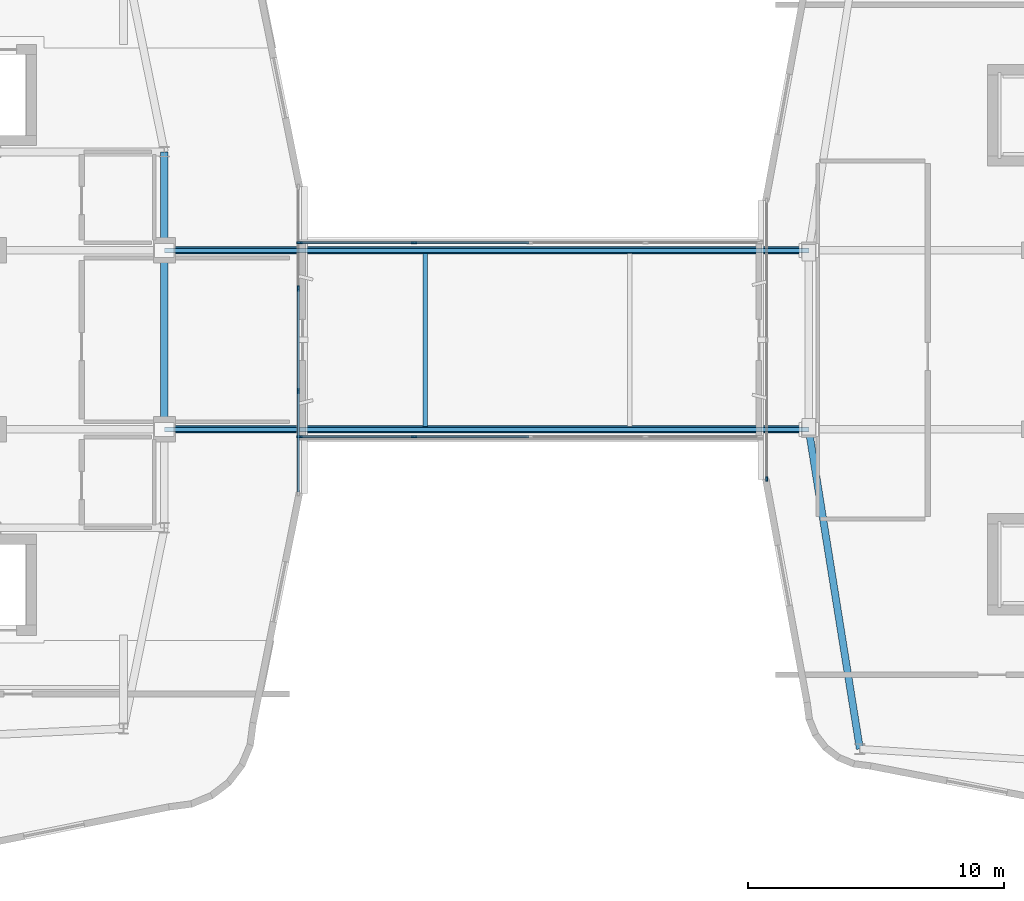
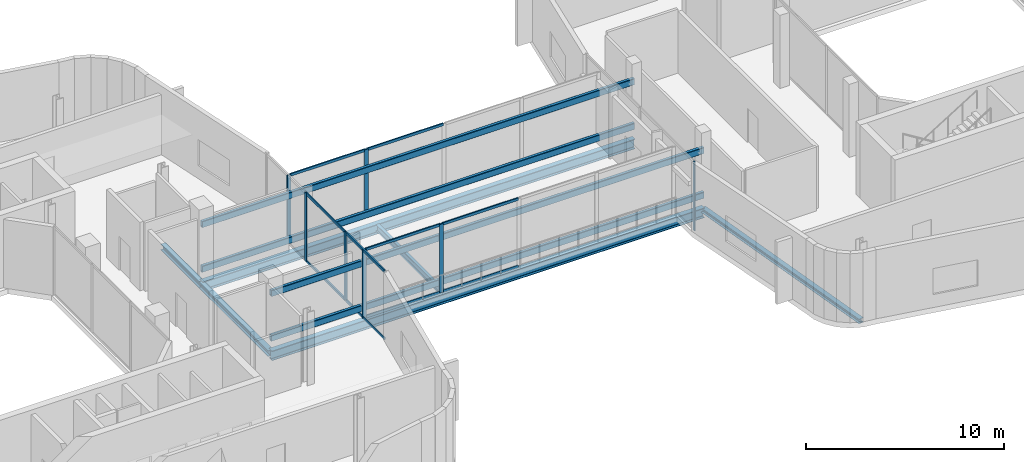
# One storey, part 6 of 24: 23 members, 6 beams, 4 elements without a shape of their own.
"""IFC4 building model written with IfcOpenShell, lengths in metres."""

import ifcopenshell
import ifcopenshell.guid

model = None  # the IFC model being written
_history = None  # IfcOwnerHistory: only IFC2X3 demands one
_inside = {}  # id of a spatial element -> (the spatial element, [elements in it])
_under = {}  # id of a project, library or spatial element -> (it, [spatial elements below it])
_declared = {}  # id of a project -> (the project, [libraries it declares])
_typed = {}  # id of a type object -> (the type object, [elements of that type])
_made_of = {}  # id of a material, layer set ... -> (it, [elements and type objects made of it])


def new_model(schema):
    """Start an empty IFC model of exactly this schema.

    Asked for "IFC4X3", IfcOpenShell would pick the latest addendum, in which some entities
    have other attributes; the version numbers below select the first issue.
    IFC2X3 requires an IfcOwnerHistory on every rooted entity: one is made here for all.
    """
    global model, _history
    if schema == "IFC4X3":
        model = ifcopenshell.file(schema_version=(4, 3, 0, 0))
    else:
        model = ifcopenshell.file(schema=schema)
    _inside.clear()
    _under.clear()
    _declared.clear()
    _typed.clear()
    _made_of.clear()
    _history = None
    if model.schema == "IFC2X3":
        org = make("IfcOrganization", Name="unknown")
        user = make(
            "IfcPersonAndOrganization",
            ThePerson=make("IfcPerson", FamilyName="unknown"),
            TheOrganization=org,
        )
        app = make(
            "IfcApplication",
            ApplicationDeveloper=org,
            Version="unknown",
            ApplicationFullName="unknown",
            ApplicationIdentifier="unknown",
        )
        _history = make(
            "IfcOwnerHistory",
            OwningUser=user,
            OwningApplication=app,
            ChangeAction="ADDED",
            CreationDate=0,
        )
    return model


def make(cls, **values):
    """One entity of the class cls with the attributes given. An attribute that is None is left unset."""
    return model.create_entity(
        cls, **{name: value for name, value in values.items() if value is not None}
    )


def rooted(cls, **values):
    """An entity with a GlobalId (a new one), such as an element, a storey or a relation."""
    return make(cls, GlobalId=ifcopenshell.guid.new(), OwnerHistory=_history, **values)


def si_unit(unit_type, name, prefix=None):
    """IfcSIUnit, for example si_unit("LENGTHUNIT", "METRE", prefix="MILLI")."""
    return make("IfcSIUnit", UnitType=unit_type, Prefix=prefix, Name=name)


def derived_unit(unit_type, elements):
    """IfcDerivedUnit: a product of units, each with its exponent."""
    return make(
        "IfcDerivedUnit",
        Elements=[
            make("IfcDerivedUnitElement", Unit=unit, Exponent=power)
            for unit, power in elements
        ],
        UnitType=unit_type,
    )


def assignment(units):
    """IfcUnitAssignment: the units of a project."""
    return None if units is None else make("IfcUnitAssignment", Units=units)


def point(xyz):
    """IfcCartesianPoint."""
    return None if xyz is None else make("IfcCartesianPoint", Coordinates=xyz)


def direction(xyz):
    """IfcDirection."""
    return None if xyz is None else make("IfcDirection", DirectionRatios=xyz)


def frame(location, z_axis=None, x_axis=None):
    """IfcAxis2Placement3D, a coordinate frame: its origin and axes. An axis left out is left unset."""
    return make(
        "IfcAxis2Placement3D",
        Location=point(location),
        Axis=direction(z_axis),
        RefDirection=direction(x_axis),
    )


def frame_2d(location, x_axis=None):
    """IfcAxis2Placement2D, a coordinate frame in the plane: its origin and x axis."""
    return make(
        "IfcAxis2Placement2D", Location=point(location), RefDirection=direction(x_axis)
    )


def origin():
    """The frame at (0, 0, 0) with its axes left unset."""
    return frame((0.0, 0.0, 0.0))


def origin_2d():
    """The frame at (0, 0) in the plane with its x axis left unset."""
    return frame_2d((0.0, 0.0))


def place(relative_to, where):
    """IfcLocalPlacement: puts the frame where relative to a parent placement (None: the world)."""
    return make(
        "IfcLocalPlacement", PlacementRelTo=relative_to, RelativePlacement=where
    )


def context(
    kind, dimensions, precision=None, world=None, true_north=None, identifier=None
):
    """IfcGeometricRepresentationContext, for example the 3D "Model" context."""
    return make(
        "IfcGeometricRepresentationContext",
        ContextIdentifier=identifier,
        ContextType=kind,
        CoordinateSpaceDimension=dimensions,
        Precision=precision,
        WorldCoordinateSystem=world,
        TrueNorth=true_north,
    )


def subcontext(parent, identifier, kind, view, scale=None):
    """IfcGeometricRepresentationSubContext, for example "Body" below "Model"."""
    return make(
        "IfcGeometricRepresentationSubContext",
        ContextIdentifier=identifier,
        ContextType=kind,
        ParentContext=parent,
        TargetScale=scale,
        TargetView=view,
    )


def project(units=None, contexts=None):
    """IfcProject with its units and contexts."""
    return rooted(
        "IfcProject",
        Name="project",
        RepresentationContexts=contexts,
        UnitsInContext=assignment(units),
    )


def spatial(cls, under=None, at=None, **own):
    """A site, building, storey or space (cls), placed at a placement, below another one or the project."""
    s = rooted(cls, ObjectPlacement=at, **own)
    if under is not None:
        _under.setdefault(under.id(), (under, []))[1].append(s)
    return s


def profile(cls, at=None, kind="AREA", **sizes):
    """A parametric profile (cls). Its sizes go by their IFC names, for example OverallWidth=200.0."""
    return make(cls, ProfileType=kind, Position=at, **sizes)


def rectangle(**sizes):
    """IfcRectangleProfileDef."""
    return profile("IfcRectangleProfileDef", **sizes)


def hollow_rectangle(**sizes):
    """IfcRectangleHollowProfileDef."""
    return profile("IfcRectangleHollowProfileDef", **sizes)


def i_section(**sizes):
    """IfcIShapeProfileDef."""
    return profile("IfcIShapeProfileDef", **sizes)


def extrude(swept, where, along, depth):
    """IfcExtrudedAreaSolid: the profile swept, set in the frame where, extruded along a direction by depth."""
    return make(
        "IfcExtrudedAreaSolid",
        SweptArea=swept,
        Position=where,
        ExtrudedDirection=direction(along),
        Depth=depth,
    )


def shape(context_of_items, identifier, shape_type, items):
    """IfcShapeRepresentation: the items that make up one representation, for example the "Body"."""
    return make(
        "IfcShapeRepresentation",
        ContextOfItems=context_of_items,
        RepresentationIdentifier=identifier,
        RepresentationType=shape_type,
        Items=items,
    )


def material(Name=None, Category=None):
    """IfcMaterial."""
    return make("IfcMaterial", Name=Name, Category=Category)


def layer(
    of_material, thickness, ventilated=None, Name=None, Category=None, Priority=None
):
    """IfcMaterialLayer: one layer of a wall or slab, of a material (None: an air gap)."""
    return make(
        "IfcMaterialLayer",
        Material=of_material,
        LayerThickness=thickness,
        IsVentilated=ventilated,
        Name=Name,
        Category=Category,
        Priority=Priority,
    )


def layer_set(layers, Name=None):
    """IfcMaterialLayerSet."""
    return make("IfcMaterialLayerSet", MaterialLayers=layers, LayerSetName=Name)


def material_profile(
    of_material, cross_section, Name=None, Category=None, Priority=None
):
    """IfcMaterialProfile: a cross section and its material."""
    return make(
        "IfcMaterialProfile",
        Name=Name,
        Material=of_material,
        Profile=cross_section,
        Priority=Priority,
        Category=Category,
    )


def profile_set(profiles, Name=None, composite=None):
    """IfcMaterialProfileSet."""
    return make(
        "IfcMaterialProfileSet",
        Name=Name,
        MaterialProfiles=profiles,
        CompositeProfile=composite,
    )


def made_of(thing, what):
    """Note that an element or type object is made of a material, layer set ...; save() writes the relation."""
    if what is not None:
        _made_of.setdefault(what.id(), (what, []))[1].append(thing)
    return thing


def type_object(cls, material=None, **own):
    """A type object (cls), such as IfcWallType, which elements share."""
    return made_of(rooted(cls, **own), material)


def element(
    cls,
    number,
    at=None,
    inside=None,
    cuts=None,
    type_object=None,
    material=None,
    context=None,
    identifier="Body",
    shape_type=None,
    held_by="IfcProductDefinitionShape",
    body=None,
    shapes=None,
    **own,
):
    """One element of the class cls, such as IfcWall. Its Tag is "e" and its number.

    at: its placement. inside: the storey or other place that contains it. cuts: it is an
    opening in that element (IfcRelVoidsElement). A single representation is given by context,
    identifier, shape_type and body (its items); several are given by shapes. held_by: the class
    of the entity that holds the representations. save() writes the other relations.
    """
    e = rooted(cls, Tag="e%d" % number, ObjectPlacement=at, **own)
    if body is not None:
        shapes = [shape(context, identifier, shape_type, body)]
    if shapes is not None:
        e.Representation = make(held_by, Representations=shapes)
    if inside is not None:
        _inside.setdefault(inside.id(), (inside, []))[1].append(e)
    if cuts is not None:
        rooted(
            "IfcRelVoidsElement", RelatingBuildingElement=cuts, RelatedOpeningElement=e
        )
    if type_object is not None:
        _typed.setdefault(type_object.id(), (type_object, []))[1].append(e)
    return made_of(e, material)


def aggregate(whole, parts):
    """IfcRelAggregates: a whole, such as a stair, and the parts it consists of."""
    return rooted("IfcRelAggregates", RelatingObject=whole, RelatedObjects=parts)


def save(model, path):
    """Write the relations noted so far, then the file.

    IfcRelAggregates (storeys below a building ...), IfcRelContainedInSpatialStructure (elements
    in a storey), IfcRelDefinesByType, IfcRelAssociatesMaterial and IfcRelDeclares: one each for
    every whole, place, type object, material and project.
    """
    for whole, parts in _under.values():
        aggregate(whole, parts)
    for where, things in _inside.values():
        rooted(
            "IfcRelContainedInSpatialStructure",
            RelatedElements=things,
            RelatingStructure=where,
        )
    for kind, things in _typed.values():
        rooted("IfcRelDefinesByType", RelatedObjects=things, RelatingType=kind)
    for what, things in _made_of.values():
        rooted("IfcRelAssociatesMaterial", RelatedObjects=things, RelatingMaterial=what)
    for by, libraries in _declared.values():
        rooted("IfcRelDeclares", RelatingContext=by, RelatedDefinitions=libraries)
    model.write(path)


model = new_model("IFC4")

# Units and contexts
model_context = context("Model", 3, precision=1e-05, world=origin(), true_north=direction((0.0, 1.0)))
body_context = subcontext(model_context, "Body", "Model", "MODEL_VIEW")
ifc_project = project(units=[si_unit("LENGTHUNIT", "METRE"), si_unit("AREAUNIT", "SQUARE_METRE"), si_unit("VOLUMEUNIT", "CUBIC_METRE"), si_unit("PLANEANGLEUNIT", "RADIAN"), si_unit("MASSUNIT", "GRAM", prefix="KILO"), derived_unit("THERMALTRANSMITTANCEUNIT", [(si_unit("POWERUNIT", "WATT"), 1), (si_unit("LENGTHUNIT", "METRE"), -2), (si_unit("THERMODYNAMICTEMPERATUREUNIT", "KELVIN"), -1)])], contexts=[model_context])

# Site, building, storey
site_placement = place(None, origin())
site = spatial("IfcSite", under=ifc_project, at=site_placement, CompositionType="ELEMENT")
building_placement = place(site_placement, origin())
building = spatial("IfcBuilding", under=site, at=building_placement, Name="Kivonza Crest Hotel", CompositionType="ELEMENT")
storey_placement = place(building_placement, frame((0.0, 0.0, 119.5)))
storey = spatial("IfcBuildingStorey", under=building, at=storey_placement, Name="L32", CompositionType="ELEMENT", Elevation=119.5)

# Beams
ifc_material_1 = material(Name="Steel S355", Category="steel")
ifc_material_profile_1 = material_profile(ifc_material_1, i_section(OverallWidth=0.280029296875, OverallDepth=0.280029296875, WebThickness=0.010498046875, FlangeThickness=0.01806640625, FilletRadius=0.02392578125, at=origin_2d()), Name="HEB 280")
ifc_profile_set_1 = profile_set([ifc_material_profile_1], Name="Steel S355")
beam_type_1 = type_object("IfcBeamType", Name="BM-HEB280", PredefinedType="SPANDREL", material=ifc_profile_set_1)
beam_1_placement = place(storey_placement, frame((61.0, 21.5, -0.4599609375), z_axis=(0.157990501107, -0.987440631917, 0.0), x_axis=(0.987440631917, 0.157990501107, 0.0)))
element("IfcBeam", 1, at=beam_1_placement, inside=storey, type_object=beam_type_1, Name="Companion Tower T2 L32 perimeter spandrel W1-SW", PredefinedType="SPANDREL", context=body_context, shape_type="SweptSolid", body=[
    extrude(i_section(OverallWidth=0.280029296875, OverallDepth=0.280029296875, WebThickness=0.010498046875, FlangeThickness=0.01806640625, FilletRadius=0.02392578125, at=origin_2d()), origin(), (0.0, 0.0, 1.0), 12.658935546875),
])
ifc_material_profile_2 = material_profile(ifc_material_1, i_section(OverallWidth=0.300048828125, OverallDepth=0.360107421875, WebThickness=0.012451171875, FlangeThickness=0.0224609375, FilletRadius=0.027099609375, at=origin_2d()), Name="HEB 360")
ifc_profile_set_2 = profile_set([ifc_material_profile_2], Name="Steel S355")
beam_type_2 = type_object("IfcBeamType", Name="BM-HEB360", PredefinedType="SPANDREL", material=ifc_profile_set_2)
beam_2_placement = place(storey_placement, frame((35.800048828125, 21.5, -0.5), z_axis=(0.0, 1.0, 0.0), x_axis=(-1.0, 0.0, 0.0)))
element("IfcBeam", 2, at=beam_2_placement, inside=storey, type_object=beam_type_2, Name="Tower T1 L32 perimeter spandrel E1-E2", PredefinedType="SPANDREL", context=body_context, shape_type="SweptSolid", body=[
    extrude(i_section(OverallWidth=0.300048828125, OverallDepth=0.360107421875, WebThickness=0.012451171875, FlangeThickness=0.0224609375, FilletRadius=0.027099609375, at=origin_2d()), origin(), (0.0, 0.0, 1.0), 7.0),
])
beam_3_placement = place(storey_placement, frame((35.800048828125, 28.5, -0.5), z_axis=(0.0, 1.0, 0.0), x_axis=(-1.0, 0.0, 0.0)))
element("IfcBeam", 3, at=beam_3_placement, inside=storey, type_object=beam_type_2, Name="Tower T1 L32 perimeter spandrel E2-PNE", PredefinedType="SPANDREL", context=body_context, shape_type="SweptSolid", body=[
    extrude(i_section(OverallWidth=0.300048828125, OverallDepth=0.360107421875, WebThickness=0.012451171875, FlangeThickness=0.0224609375, FilletRadius=0.027099609375, at=origin_2d()), origin(), (0.0, 0.0, 1.0), 3.85009765625),
])
ifc_material_profile_3 = material_profile(ifc_material_1, i_section(OverallWidth=0.300048828125, OverallDepth=0.60009765625, WebThickness=0.015380859375, FlangeThickness=0.030029296875, FilletRadius=0.027099609375, at=origin_2d()), Name="HEB 600")
ifc_profile_set_3 = profile_set([ifc_material_profile_3], Name="Steel S355")
beam_type_3 = type_object("IfcBeamType", Name="BM-HEB600", PredefinedType="BEAM", material=ifc_profile_set_3)
for number, where, z_axis, x_axis, name in (
    (4, (35.800048828125, 21.5, -0.60009765625), (1.0, 0.0, 0.0), (0.0, 1.0, 0.0), "Skybridge BR1 South main tie girder"),
    (5, (35.800048828125, 28.5, -0.60009765625), (1.0, 0.0, 0.0), (0.0, 1.0, 0.0), "Skybridge BR1 North main tie girder"),
):
    element("IfcBeam", number, at=place(storey_placement, frame(where, z_axis=z_axis, x_axis=x_axis)), inside=storey, type_object=beam_type_3, Name=name, PredefinedType="BEAM", context=body_context, shape_type="SweptSolid", body=[
        extrude(i_section(OverallWidth=0.300048828125, OverallDepth=0.60009765625, WebThickness=0.015380859375, FlangeThickness=0.030029296875, FilletRadius=0.027099609375, at=origin_2d()), origin(), (0.0, 0.0, 1.0), 25.199951171875),
    ])
ifc_material_profile_4 = material_profile(ifc_material_1, i_section(OverallWidth=0.179931640625, OverallDepth=0.39990234375, WebThickness=0.008544921875, FlangeThickness=0.013427734375, FilletRadius=0.02099609375, at=origin_2d()), Name="IPE 400")
ifc_profile_set_4 = profile_set([ifc_material_profile_4], Name="Steel S355")
beam_type_4 = type_object("IfcBeamType", Name="BM-IPE400", PredefinedType="JOIST", material=ifc_profile_set_4)
beam_4_placement = place(storey_placement, frame((46.0, 21.6201171875, -0.5), z_axis=(0.0, 1.0, 0.0), x_axis=(-1.0, 0.0, 0.0)))
element("IfcBeam", 6, at=beam_4_placement, inside=storey, type_object=beam_type_4, Name="Skybridge BR1 cross floor beam 1", PredefinedType="JOIST", context=body_context, shape_type="SweptSolid", body=[
    extrude(i_section(OverallWidth=0.179931640625, OverallDepth=0.39990234375, WebThickness=0.008544921875, FlangeThickness=0.013427734375, FilletRadius=0.02099609375, at=origin_2d()), origin(), (0.0, 0.0, 1.0), 6.759765625),
])

# Curtain wall, member
ifc_material_2 = material(Name="Anodised bronze aluminium and low-E double glazing", Category="aluminium")
ifc_layer_1 = layer(ifc_material_2, 0.179931640625)
ifc_layer_set_1 = layer_set([ifc_layer_1], Name="Anodised bronze aluminium and low-E double glazing")
curtain_wall_type_1 = type_object("IfcCurtainWallType", Name="CW-SYS-4", PredefinedType="NOTDEFINED", material=ifc_layer_set_1)
curtain_wall_1_placement = place(storey_placement, origin())
curtain_wall_1 = element("IfcCurtainWall", 7, at=curtain_wall_1_placement, inside=storey, type_object=curtain_wall_type_1, Name="L32 unitised curtain wall CW-T2-L32-35", PredefinedType="NOTDEFINED")
ifc_material_3 = material(Name="Anodised bronze aluminium", Category="aluminium")
ifc_material_profile_5 = material_profile(ifc_material_3, rectangle(XDim=0.06494140625, YDim=0.179931640625, at=origin_2d()), Name="CW-M 65x180")
ifc_profile_set_5 = profile_set([ifc_material_profile_5], Name="Anodised bronze aluminium")
member_type_1 = type_object("IfcMemberType", Name="CW-MUL-65x180", PredefinedType="MULLION", material=ifc_profile_set_5)
member_1_placement = place(storey_placement, frame((59.360107421875, 19.552490234375, 0.0), z_axis=(0.0, 0.0, 1.0), x_axis=(1.0, 0.0, 0.0)))
member_1 = element("IfcMember", 8, at=member_1_placement, type_object=member_type_1, Name="CW-4 mullion 3", PredefinedType="MULLION", context=body_context, shape_type="SweptSolid", body=[
    extrude(rectangle(XDim=0.06494140625, YDim=0.179931640625, at=origin_2d()), origin(), (0.0, 0.0, 1.0), 4.25),
])
aggregate(curtain_wall_1, [member_1])

# Curtain wall, members
ifc_layer_2 = layer(ifc_material_2, 0.179931640625)
ifc_layer_set_2 = layer_set([ifc_layer_2], Name="Anodised bronze aluminium and low-E double glazing")
curtain_wall_type_2 = type_object("IfcCurtainWallType", Name="CW-SYS-3", PredefinedType="NOTDEFINED", material=ifc_layer_set_2)
curtain_wall_2_placement = place(storey_placement, origin())
curtain_wall_2 = element("IfcCurtainWall", 9, at=curtain_wall_2_placement, inside=storey, type_object=curtain_wall_type_2, Name="L32 unitised curtain wall CW-T1-L32-17", PredefinedType="NOTDEFINED")
ifc_material_profile_6 = material_profile(ifc_material_3, rectangle(XDim=0.074951171875, YDim=0.219970703125, at=origin_2d()), Name="CW-M 75x220")
ifc_profile_set_6 = profile_set([ifc_material_profile_6], Name="Anodised bronze aluminium")
member_type_2 = type_object("IfcMemberType", Name="CW-MUL-75x220", PredefinedType="MULLION", material=ifc_profile_set_6)
member_2_placement = place(storey_placement, frame((41.0400390625, 22.993408203125, 0.0), z_axis=(0.0, 0.0, 1.0), x_axis=(-1.0, 0.0, 0.0)))
member_2 = element("IfcMember", 10, at=member_2_placement, type_object=member_type_2, Name="CW-3 mullion 2", PredefinedType="MULLION", context=body_context, shape_type="SweptSolid", body=[
    extrude(rectangle(XDim=0.074951171875, YDim=0.219970703125, at=origin_2d()), origin(), (0.0, 0.0, 1.0), 4.219970703125),
])
member_3_placement = place(storey_placement, frame((41.0400390625, 27.006591796875, 0.0), z_axis=(0.0, 0.0, 1.0), x_axis=(-1.0, 0.0, 0.0)))
member_3 = element("IfcMember", 11, at=member_3_placement, type_object=member_type_2, Name="CW-3 mullion 3", PredefinedType="MULLION", context=body_context, shape_type="SweptSolid", body=[
    extrude(rectangle(XDim=0.074951171875, YDim=0.219970703125, at=origin_2d()), origin(), (0.0, 0.0, 1.0), 4.219970703125),
])

ifc_layer_3 = layer(ifc_material_2, 0.199951171875)
ifc_layer_set_3 = layer_set([ifc_layer_3], Name="Anodised bronze aluminium and low-E double glazing")
curtain_wall_type_3 = type_object("IfcCurtainWallType", Name="CW-SYS-6", PredefinedType="NOTDEFINED", material=ifc_layer_set_3)
curtain_wall_3_placement = place(storey_placement, origin())
curtain_wall_3 = element("IfcCurtainWall", 12, at=curtain_wall_3_placement, inside=storey, type_object=curtain_wall_type_3, Name="L32 unitised curtain wall CW-BR1-L32-S", PredefinedType="NOTDEFINED")
member_4_placement = place(storey_placement, frame((41.077392578125, 21.2099609375, 0.0), z_axis=(0.0, 0.0, 1.0), x_axis=(0.0, 1.0, 0.0)))
member_4 = element("IfcMember", 13, at=member_4_placement, type_object=member_type_2, Name="CW-6 mullion 1", PredefinedType="MULLION", context=body_context, shape_type="SweptSolid", body=[
    extrude(rectangle(XDim=0.074951171875, YDim=0.219970703125, at=origin_2d()), origin(), (0.0, 0.0, 1.0), 4.219970703125),
])
member_5_placement = place(storey_placement, frame((45.56494140625, 21.2099609375, 0.0), z_axis=(0.0, 0.0, 1.0), x_axis=(0.0, 1.0, 0.0)))
member_5 = element("IfcMember", 14, at=member_5_placement, type_object=member_type_2, Name="CW-6 mullion 2", PredefinedType="MULLION", context=body_context, shape_type="SweptSolid", body=[
    extrude(rectangle(XDim=0.074951171875, YDim=0.219970703125, at=origin_2d()), origin(), (0.0, 0.0, 1.0), 4.219970703125),
])

curtain_wall_4_placement = place(storey_placement, origin())
curtain_wall_4 = element("IfcCurtainWall", 15, at=curtain_wall_4_placement, inside=storey, type_object=curtain_wall_type_3, Name="L32 unitised curtain wall CW-BR1-L32-N", PredefinedType="NOTDEFINED")
member_6_placement = place(storey_placement, frame((45.56494140625, 28.7900390625, 0.0), z_axis=(0.0, 0.0, 1.0), x_axis=(0.0, -1.0, 0.0)))
member_6 = element("IfcMember", 16, at=member_6_placement, type_object=member_type_2, Name="CW-6 mullion 4", PredefinedType="MULLION", context=body_context, shape_type="SweptSolid", body=[
    extrude(rectangle(XDim=0.074951171875, YDim=0.219970703125, at=origin_2d()), origin(), (0.0, 0.0, 1.0), 4.219970703125),
])
member_7_placement = place(storey_placement, frame((41.077392578125, 28.7900390625, 0.0), z_axis=(0.0, 0.0, 1.0), x_axis=(0.0, -1.0, 0.0)))
member_7 = element("IfcMember", 17, at=member_7_placement, type_object=member_type_2, Name="CW-6 mullion 5", PredefinedType="MULLION", context=body_context, shape_type="SweptSolid", body=[
    extrude(rectangle(XDim=0.074951171875, YDim=0.219970703125, at=origin_2d()), origin(), (0.0, 0.0, 1.0), 4.219970703125),
])

# Member
ifc_material_profile_7 = material_profile(ifc_material_3, rectangle(XDim=0.074951171875, YDim=0.159912109375, at=origin_2d()), Name="CW-T 75x160")
ifc_profile_set_7 = profile_set([ifc_material_profile_7], Name="Anodised bronze aluminium")
member_type_3 = type_object("IfcMemberType", Name="CW-TRN-75x160", PredefinedType="USERDEFINED", material=ifc_profile_set_7)
member_8_placement = place(storey_placement, frame((41.0400390625, 19.054931640625, 0.03759765625), z_axis=(0.0, 1.0, 0.0), x_axis=(-1.0, 0.0, 0.0)))
member_8 = element("IfcMember", 18, at=member_8_placement, type_object=member_type_3, Name="CW-3 transom 1.1", ObjectType="TRANSOM", PredefinedType="USERDEFINED", context=body_context, shape_type="SweptSolid", body=[
    extrude(rectangle(XDim=0.074951171875, YDim=0.159912109375, at=origin_2d()), origin(), (0.0, 0.0, 1.0), 3.90087890625),
])

member_9_placement = place(storey_placement, frame((41.0400390625, 19.054931640625, 4.1826171875), z_axis=(0.0, 1.0, 0.0), x_axis=(-1.0, 0.0, 0.0)))
member_9 = element("IfcMember", 19, at=member_9_placement, type_object=member_type_3, Name="CW-3 transom 1.2", ObjectType="TRANSOM", PredefinedType="USERDEFINED", context=body_context, shape_type="SweptSolid", body=[
    extrude(rectangle(XDim=0.074951171875, YDim=0.159912109375, at=origin_2d()), origin(), (0.0, 0.0, 1.0), 3.90087890625),
])

member_10_placement = place(storey_placement, frame((41.0400390625, 23.03076171875, 0.03759765625), z_axis=(0.0, 1.0, 0.0), x_axis=(-1.0, 0.0, 0.0)))
member_10 = element("IfcMember", 20, at=member_10_placement, type_object=member_type_3, Name="CW-3 transom 2.1", ObjectType="TRANSOM", PredefinedType="USERDEFINED", context=body_context, shape_type="SweptSolid", body=[
    extrude(rectangle(XDim=0.074951171875, YDim=0.159912109375, at=origin_2d()), origin(), (0.0, 0.0, 1.0), 3.9384765625),
])

member_11_placement = place(storey_placement, frame((41.0400390625, 23.03076171875, 4.1826171875), z_axis=(0.0, 1.0, 0.0), x_axis=(-1.0, 0.0, 0.0)))
member_11 = element("IfcMember", 21, at=member_11_placement, type_object=member_type_3, Name="CW-3 transom 2.2", ObjectType="TRANSOM", PredefinedType="USERDEFINED", context=body_context, shape_type="SweptSolid", body=[
    extrude(rectangle(XDim=0.074951171875, YDim=0.159912109375, at=origin_2d()), origin(), (0.0, 0.0, 1.0), 3.9384765625),
])

aggregate(curtain_wall_2, [member_2, member_3, member_8, member_9, member_10, member_11])

member_12_placement = place(storey_placement, frame((41.114990234375, 21.2099609375, 0.03759765625), z_axis=(1.0, 0.0, 0.0), x_axis=(0.0, 1.0, 0.0)))
member_12 = element("IfcMember", 22, at=member_12_placement, type_object=member_type_3, Name="CW-6 transom 1.1", ObjectType="TRANSOM", PredefinedType="USERDEFINED", context=body_context, shape_type="SweptSolid", body=[
    extrude(rectangle(XDim=0.074951171875, YDim=0.159912109375, at=origin_2d()), origin(), (0.0, 0.0, 1.0), 4.41259765625),
])

member_13_placement = place(storey_placement, frame((41.114990234375, 21.2099609375, 4.1826171875), z_axis=(1.0, 0.0, 0.0), x_axis=(0.0, 1.0, 0.0)))
member_13 = element("IfcMember", 23, at=member_13_placement, type_object=member_type_3, Name="CW-6 transom 1.2", ObjectType="TRANSOM", PredefinedType="USERDEFINED", context=body_context, shape_type="SweptSolid", body=[
    extrude(rectangle(XDim=0.074951171875, YDim=0.159912109375, at=origin_2d()), origin(), (0.0, 0.0, 1.0), 4.41259765625),
])

member_14_placement = place(storey_placement, frame((45.6025390625, 21.2099609375, 0.03759765625), z_axis=(1.0, 0.0, 0.0), x_axis=(0.0, 1.0, 0.0)))
member_14 = element("IfcMember", 24, at=member_14_placement, type_object=member_type_3, Name="CW-6 transom 2.1", ObjectType="TRANSOM", PredefinedType="USERDEFINED", context=body_context, shape_type="SweptSolid", body=[
    extrude(rectangle(XDim=0.074951171875, YDim=0.159912109375, at=origin_2d()), origin(), (0.0, 0.0, 1.0), 4.449951171875),
])

member_15_placement = place(storey_placement, frame((45.6025390625, 21.2099609375, 4.1826171875), z_axis=(1.0, 0.0, 0.0), x_axis=(0.0, 1.0, 0.0)))
member_15 = element("IfcMember", 25, at=member_15_placement, type_object=member_type_3, Name="CW-6 transom 2.2", ObjectType="TRANSOM", PredefinedType="USERDEFINED", context=body_context, shape_type="SweptSolid", body=[
    extrude(rectangle(XDim=0.074951171875, YDim=0.159912109375, at=origin_2d()), origin(), (0.0, 0.0, 1.0), 4.449951171875),
])

aggregate(curtain_wall_3, [member_4, member_5, member_12, member_13, member_14, member_15])

member_16_placement = place(storey_placement, frame((50.052490234375, 28.7900390625, 0.03759765625), z_axis=(-1.0, 0.0, 0.0), x_axis=(0.0, -1.0, 0.0)))
member_16 = element("IfcMember", 26, at=member_16_placement, type_object=member_type_3, Name="CW-6 transom 3.1", ObjectType="TRANSOM", PredefinedType="USERDEFINED", context=body_context, shape_type="SweptSolid", body=[
    extrude(rectangle(XDim=0.074951171875, YDim=0.159912109375, at=origin_2d()), origin(), (0.0, 0.0, 1.0), 4.449951171875),
])

member_17_placement = place(storey_placement, frame((50.052490234375, 28.7900390625, 4.1826171875), z_axis=(-1.0, 0.0, 0.0), x_axis=(0.0, -1.0, 0.0)))
member_17 = element("IfcMember", 27, at=member_17_placement, type_object=member_type_3, Name="CW-6 transom 3.2", ObjectType="TRANSOM", PredefinedType="USERDEFINED", context=body_context, shape_type="SweptSolid", body=[
    extrude(rectangle(XDim=0.074951171875, YDim=0.159912109375, at=origin_2d()), origin(), (0.0, 0.0, 1.0), 4.449951171875),
])

member_18_placement = place(storey_placement, frame((45.527587890625, 28.7900390625, 0.03759765625), z_axis=(-1.0, 0.0, 0.0), x_axis=(0.0, -1.0, 0.0)))
member_18 = element("IfcMember", 28, at=member_18_placement, type_object=member_type_3, Name="CW-6 transom 4.1", ObjectType="TRANSOM", PredefinedType="USERDEFINED", context=body_context, shape_type="SweptSolid", body=[
    extrude(rectangle(XDim=0.074951171875, YDim=0.159912109375, at=origin_2d()), origin(), (0.0, 0.0, 1.0), 4.41259765625),
])

member_19_placement = place(storey_placement, frame((45.527587890625, 28.7900390625, 4.1826171875), z_axis=(-1.0, 0.0, 0.0), x_axis=(0.0, -1.0, 0.0)))
member_19 = element("IfcMember", 29, at=member_19_placement, type_object=member_type_3, Name="CW-6 transom 4.2", ObjectType="TRANSOM", PredefinedType="USERDEFINED", context=body_context, shape_type="SweptSolid", body=[
    extrude(rectangle(XDim=0.074951171875, YDim=0.159912109375, at=origin_2d()), origin(), (0.0, 0.0, 1.0), 4.41259765625),
])

aggregate(curtain_wall_4, [member_6, member_7, member_16, member_17, member_18, member_19])

# Members
ifc_material_profile_8 = material_profile(ifc_material_1, hollow_rectangle(XDim=0.199951171875, YDim=0.39990234375, WallThickness=0.01611328125, InnerFilletRadius=0.02392578125, OuterFilletRadius=0.0400390625, at=origin_2d()), Name="RHS 400x200x16")
ifc_profile_set_8 = profile_set([ifc_material_profile_8], Name="Steel S355")
member_type_4 = type_object("IfcMemberType", Name="MB-CHORD-RHS400", PredefinedType="CHORD", material=ifc_profile_set_8)
for number, where, z_axis, x_axis, name in (
    (30, (35.800048828125, 21.5, 0.449951171875), (1.0, 0.0, 0.0), (0.0, 1.0, 0.0), "Skybridge link truss BR1-L32-S bottom chord 1"),
    (31, (35.800048828125, 21.5, 3.199951171875), (1.0, 0.0, 0.0), (0.0, 1.0, 0.0), "Skybridge link truss BR1-L32-S top chord 1"),
    (32, (35.800048828125, 28.5, 0.449951171875), (1.0, 0.0, 0.0), (0.0, 1.0, 0.0), "Skybridge link truss BR1-L32-N bottom chord 1"),
    (33, (35.800048828125, 28.5, 3.199951171875), (1.0, 0.0, 0.0), (0.0, 1.0, 0.0), "Skybridge link truss BR1-L32-N top chord 1"),
):
    element("IfcMember", number, at=place(storey_placement, frame(where, z_axis=z_axis, x_axis=x_axis)), inside=storey, type_object=member_type_4, Name=name, PredefinedType="CHORD", context=body_context, shape_type="SweptSolid", body=[
        extrude(hollow_rectangle(XDim=0.199951171875, YDim=0.39990234375, WallThickness=0.01611328125, InnerFilletRadius=0.02392578125, OuterFilletRadius=0.0400390625, at=origin_2d()), origin(), (0.0, 0.0, 1.0), 25.199951171875),
    ])

save(model, "model.ifc")
